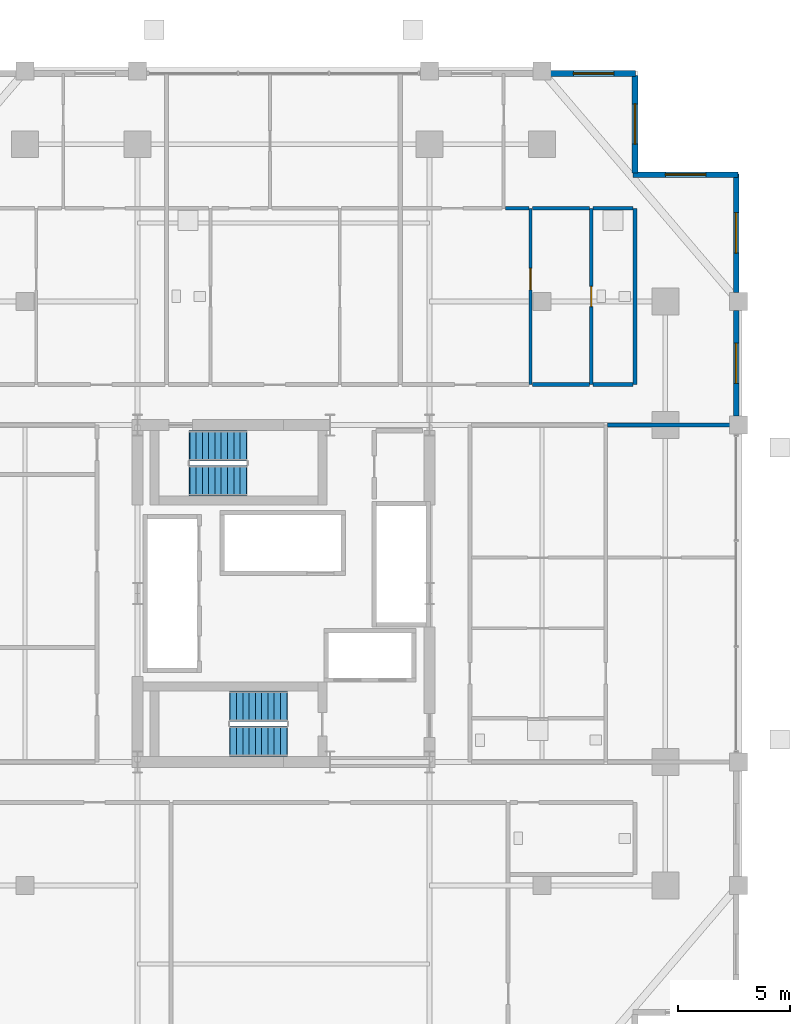
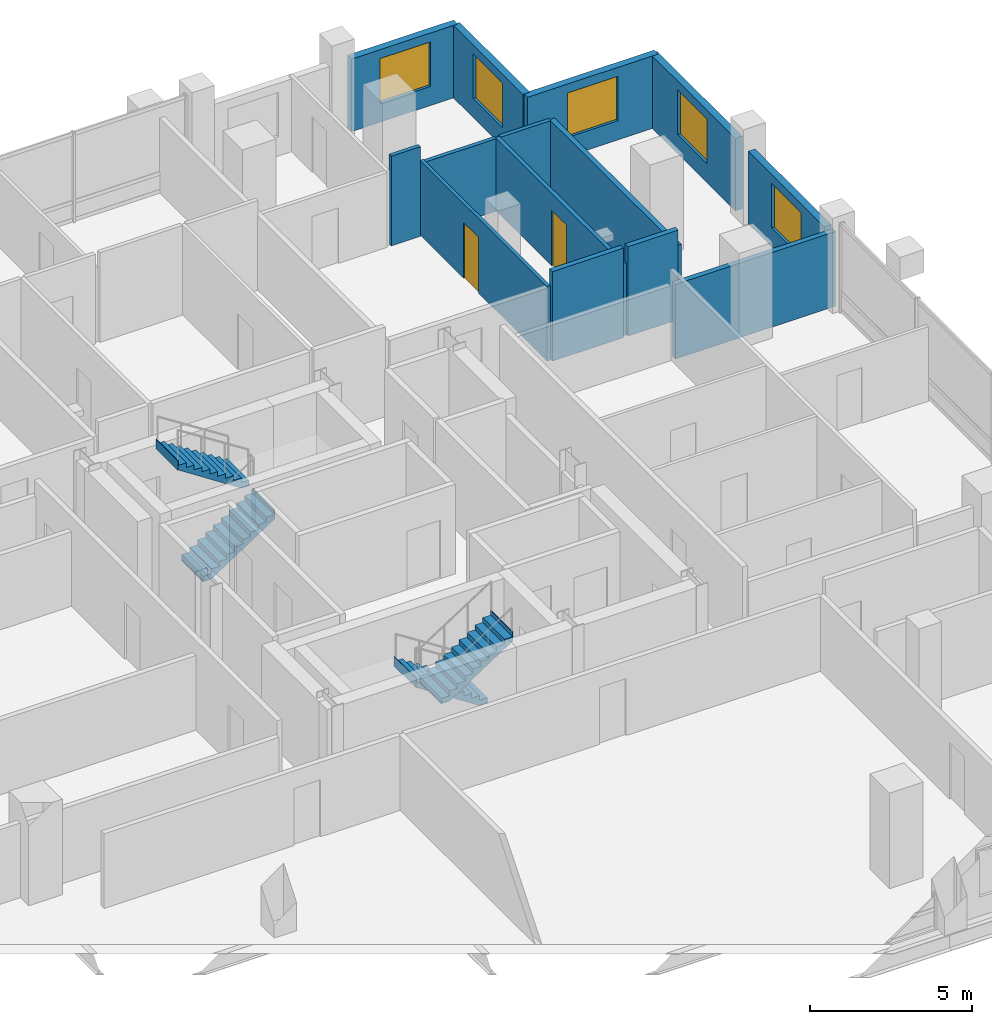
# One storey, part 17 of 19: 14 walls, 5 windows, 4 stair flights, 2 doors, 7 openings, 2 elements without a shape of their own.
"""IFC4 building model written with IfcOpenShell, lengths in metres."""

from ifc_helpers import new_model, si_unit, direction, frame, frame_2d, origin, place, context, subcontext, project, spatial, polyline, rectangle, outline, extrude, material, layer, layer_set, type_object, element, fill, aggregate, save


model = new_model("IFC4")

# Units and contexts
model_context = context("Model", 3, precision=1e-05, world=origin(), true_north=direction((0.0, 1.0)))
body_context = subcontext(model_context, "Body", "Model", "MODEL_VIEW")
ifc_project = project(units=[si_unit("LENGTHUNIT", "METRE"), si_unit("AREAUNIT", "SQUARE_METRE"), si_unit("VOLUMEUNIT", "CUBIC_METRE"), si_unit("PLANEANGLEUNIT", "RADIAN"), si_unit("MASSUNIT", "GRAM", prefix="KILO")], contexts=[model_context])

# Site, building, storey
site_placement = place(None, origin())
site = spatial("IfcSite", under=ifc_project, at=site_placement, CompositionType="ELEMENT")
building_placement = place(site_placement, origin())
building = spatial("IfcBuilding", under=site, at=building_placement, Name="Barlavira Tower and Art Museum", CompositionType="ELEMENT")
storey_placement = place(building_placement, frame((0.0, 0.0, 113.39990234375)))
storey = spatial("IfcBuildingStorey", under=building, at=storey_placement, Name="L28", CompositionType="ELEMENT", Elevation=113.39990234375)

# Wall, opening, door
ifc_material_1 = material(Name="Gypsum acoustic stud partition", Category="gypsum")
ifc_layer_1 = layer(ifc_material_1, 0.1201171875, Name="Gypsum acoustic stud partition")
ifc_layer_set_1 = layer_set([ifc_layer_1], Name="Gypsum acoustic stud partition")
wall_type_1 = type_object("IfcWallType", Name="Apartment Internal Acoustic Partition 120", PredefinedType="PARTITIONING", material=ifc_layer_set_1)
wall_1_placement = place(storey_placement, frame((11.0, 9.300048828125, 0.0), z_axis=(0.0, 0.0, 1.0), x_axis=(0.0, 1.0, 0.0)))
wall_1 = element("IfcWall", 1, at=wall_1_placement, inside=storey, type_object=wall_type_1, Name="L28 Partition Wall 16", PredefinedType="PARTITIONING", context=body_context, shape_type="SweptSolid", body=[
    extrude(rectangle(XDim=7.849853515625, YDim=0.1201171875, at=frame_2d((3.9248046875, 0.0))), origin(), (0.0, 0.0, 1.0), 2.816162109375),
])
opening_1_placement = place(wall_1_placement, frame((4.218505859375, 0.0, 0.0)))
opening_1 = element("IfcOpeningElement", 2, at=opening_1_placement, cuts=wall_1, Name="Opening D-02", PredefinedType="OPENING", context=body_context, shape_type="SweptSolid", body=[
    extrude(rectangle(XDim=0.949951171875, YDim=2.10009765625, at=frame_2d((0.47509765625, 1.050048828125))), frame((0.0, 0.070068359375, 0.0), z_axis=(0.0, -1.0, 0.0), x_axis=(1.0, 0.0, 0.0)), (0.0, 0.0, 1.0), 0.14013671875),
])
ifc_material_2 = material(Name="Engineered coastal hardwood", Category="wood")
door_type_1 = type_object("IfcDoorType", Name="Living and Salon Glazed-Leaf Door 950x2100", OperationType="NOTDEFINED", PredefinedType="DOOR", material=ifc_material_2)
door_1_placement = place(opening_1_placement, origin())
door_1 = element("IfcDoor", 3, at=door_1_placement, inside=storey, type_object=door_type_1, Name="Apartment N3 Kitchen Door", OperationType="SINGLE_SWING_LEFT", OverallHeight=2.10009765625, OverallWidth=0.949951171875, PredefinedType="DOOR", context=body_context, shape_type="SweptSolid", body=[
    extrude(rectangle(XDim=0.949951171875, YDim=2.10009765625, at=frame_2d((0.47509765625, 1.050048828125))), frame((0.0, 0.02490234375, 0.0), z_axis=(0.0, -1.0, 0.0), x_axis=(1.0, 0.0, 0.0)), (0.0, 0.0, 1.0), 0.050048828125),
])
fill(opening_1, door_1)

# Walls
ifc_layer_2 = layer(ifc_material_1, 0.179931640625, Name="Gypsum acoustic stud partition")
ifc_layer_set_2 = layer_set([ifc_layer_2], Name="Gypsum acoustic stud partition")
wall_type_2 = type_object("IfcWallType", Name="Inter-Tenancy Party Partition Wall 180", PredefinedType="PARTITIONING", material=ifc_layer_set_2)
wall_2_placement = place(storey_placement, frame((15.64990234375, 9.300048828125, 0.0), z_axis=(0.0, 0.0, 1.0), x_axis=(0.0, 1.0, 0.0)))
element("IfcWall", 4, at=wall_2_placement, inside=storey, type_object=wall_type_2, Name="L28 Partition Wall 20", PredefinedType="PARTITIONING", context=body_context, shape_type="SweptSolid", body=[
    extrude(rectangle(XDim=7.849853515625, YDim=0.179931640625, at=frame_2d((3.9248046875, 0.0))), origin(), (0.0, 0.0, 1.0), 2.736083984375),
])
wall_3_placement = place(storey_placement, frame((14.429931640625, 7.5, 0.0), z_axis=(0.0, 0.0, 1.0), x_axis=(1.0, 0.0, 0.0)))
element("IfcWall", 5, at=wall_3_placement, inside=storey, type_object=wall_type_2, Name="L28 Partition Wall 37", PredefinedType="PARTITIONING", context=body_context, shape_type="SweptSolid", body=[
    extrude(rectangle(XDim=5.719970703125, YDim=0.179931640625, at=frame_2d((2.85986328125, 0.0))), origin(), (0.0, 0.0, 1.0), 2.816162109375),
])
wall_4_placement = place(storey_placement, frame((11.080078125, 9.300048828125, 0.0), z_axis=(0.0, 0.0, 1.0), x_axis=(1.0, 0.0, 0.0)))
element("IfcWall", 6, at=wall_4_placement, inside=storey, type_object=wall_type_2, Name="L28 Partition Wall 45", PredefinedType="PARTITIONING", context=body_context, shape_type="SweptSolid", body=[
    extrude(rectangle(XDim=2.5400390625, YDim=0.179931640625, at=frame_2d((1.27001953125, 0.0))), origin(), (0.0, 0.0, 1.0), 3.380126953125),
])
wall_5_placement = place(storey_placement, frame((13.780029296875, 9.300048828125, 0.0), z_axis=(0.0, 0.0, 1.0), x_axis=(1.0, 0.0, 0.0)))
element("IfcWall", 7, at=wall_5_placement, inside=storey, type_object=wall_type_2, Name="L28 Partition Wall 46", PredefinedType="PARTITIONING", context=body_context, shape_type="SweptSolid", body=[
    extrude(rectangle(XDim=1.7900390625, YDim=0.179931640625, at=frame_2d((0.89501953125, 0.0))), origin(), (0.0, 0.0, 1.0), 3.380126953125),
])

# Wall, opening, door
ifc_layer_3 = layer(ifc_material_1, 0.139892578125, Name="Gypsum acoustic stud partition")
ifc_layer_set_3 = layer_set([ifc_layer_3], Name="Gypsum acoustic stud partition")
wall_type_3 = type_object("IfcWallType", Name="Moisture-Resistant Bathroom Partition 140", PredefinedType="PARTITIONING", material=ifc_layer_set_3)
wall_6_placement = place(storey_placement, frame((13.699951171875, 9.300048828125, 0.0), z_axis=(0.0, 0.0, 1.0), x_axis=(0.0, 1.0, 0.0)))
wall_6 = element("IfcWall", 8, at=wall_6_placement, inside=storey, type_object=wall_type_3, Name="L28 Partition Wall 17", PredefinedType="PARTITIONING", context=body_context, shape_type="SweptSolid", body=[
    extrude(rectangle(XDim=7.849853515625, YDim=0.139892578125, at=frame_2d((3.9248046875, 0.0))), origin(), (0.0, 0.0, 1.0), 2.736083984375),
])
opening_2_placement = place(wall_6_placement, frame((3.469970703125, 0.0, 0.0)))
opening_2 = element("IfcOpeningElement", 9, at=opening_2_placement, cuts=wall_6, Name="Opening D-WC", PredefinedType="OPENING", context=body_context, shape_type="SweptSolid", body=[
    extrude(rectangle(XDim=0.89990234375, YDim=2.10009765625, at=frame_2d((0.449951171875, 1.050048828125))), frame((0.0, 0.080078125, 0.0), z_axis=(0.0, -1.0, 0.0), x_axis=(1.0, 0.0, 0.0)), (0.0, 0.0, 1.0), 0.159912109375),
])
door_type_2 = type_object("IfcDoorType", Name="Accessible Bathroom Flush Door 900x2100", OperationType="NOTDEFINED", PredefinedType="DOOR", material=ifc_material_2)
door_2_placement = place(opening_2_placement, origin())
door_2 = element("IfcDoor", 10, at=door_2_placement, inside=storey, type_object=door_type_2, Name="Apartment N3 Hall Bathroom Door", OperationType="SINGLE_SWING_RIGHT", OverallHeight=2.10009765625, OverallWidth=0.89990234375, PredefinedType="DOOR", context=body_context, shape_type="SweptSolid", body=[
    extrude(rectangle(XDim=0.89990234375, YDim=2.10009765625, at=frame_2d((0.449951171875, 1.050048828125))), frame((0.0, 0.02490234375, 0.0), z_axis=(0.0, -1.0, 0.0), x_axis=(1.0, 0.0, 0.0)), (0.0, 0.0, 1.0), 0.050048828125),
])
fill(opening_2, door_2)

# Walls
wall_7_placement = place(storey_placement, frame((9.8798828125, 17.14990234375, 0.0), z_axis=(0.0, 0.0, 1.0), x_axis=(1.0, 0.0, 0.0)))
element("IfcWall", 11, at=wall_7_placement, inside=storey, type_object=wall_type_3, Name="L28 Partition Wall 56", PredefinedType="PARTITIONING", context=body_context, shape_type="SweptSolid", body=[
    extrude(rectangle(XDim=1.0400390625, YDim=0.139892578125, at=frame_2d((0.52001953125, 0.0))), origin(), (0.0, 0.0, 1.0), 3.380126953125),
])
wall_8_placement = place(storey_placement, frame((11.080078125, 17.14990234375, 0.0), z_axis=(0.0, 0.0, 1.0), x_axis=(1.0, 0.0, 0.0)))
element("IfcWall", 12, at=wall_8_placement, inside=storey, type_object=wall_type_3, Name="L28 Partition Wall 57", PredefinedType="PARTITIONING", context=body_context, shape_type="SweptSolid", body=[
    extrude(rectangle(XDim=2.5400390625, YDim=0.139892578125, at=frame_2d((1.27001953125, 0.0))), origin(), (0.0, 0.0, 1.0), 2.736083984375),
])
wall_9_placement = place(storey_placement, frame((13.780029296875, 17.14990234375, 0.0), z_axis=(0.0, 0.0, 1.0), x_axis=(1.0, 0.0, 0.0)))
element("IfcWall", 13, at=wall_9_placement, inside=storey, type_object=wall_type_3, Name="L28 Partition Wall 58", PredefinedType="PARTITIONING", context=body_context, shape_type="SweptSolid", body=[
    extrude(rectangle(XDim=1.7900390625, YDim=0.139892578125, at=frame_2d((0.89501953125, 0.0))), origin(), (0.0, 0.0, 1.0), 2.736083984375),
])

# Wall, opening, window
ifc_material_3 = material(Name="Precast concrete C40", Category="concrete")
ifc_layer_4 = layer(ifc_material_3, 0.25, Name="Precast concrete C40")
ifc_layer_set_4 = layer_set([ifc_layer_4], Name="Precast concrete C40")
wall_type_4 = type_object("IfcWallType", Name="Notched Corner Spandrel Wall 250 Precast Concrete C40", PredefinedType="SOLIDWALL", material=ifc_layer_set_4)
wall_10_placement = place(storey_placement, frame((15.675048828125, 23.14990234375, 0.0), z_axis=(0.0, 0.0, 1.0), x_axis=(-1.0, 0.0, 0.0)))
wall_10 = element("IfcWall", 14, at=wall_10_placement, inside=storey, type_object=wall_type_4, Name="L28 Coastal Facade Pier Wall CW2-L28-N-1", PredefinedType="SOLIDWALL", context=body_context, shape_type="SweptSolid", body=[
    extrude(rectangle(XDim=3.780029296875, YDim=0.25, at=frame_2d((1.89013671875, 0.0))), origin(), (0.0, 0.0, 1.0), 2.736083984375),
])
opening_3_placement = place(wall_10_placement, frame((0.968017578125, 0.0, 0.719970703125)))
opening_3 = element("IfcOpeningElement", 15, at=opening_3_placement, cuts=wall_10, Name="Opening WN-01", PredefinedType="OPENING", context=body_context, shape_type="SweptSolid", body=[
    extrude(rectangle(XDim=1.800048828125, YDim=1.679931640625, at=frame_2d((0.89990234375, 0.83984375))), frame((0.0, 0.135009765625, 0.0), z_axis=(0.0, -1.0, 0.0), x_axis=(1.0, 0.0, 0.0)), (0.0, 0.0, 1.0), 0.27001953125),
])
ifc_material_4 = material(Name="Low-iron coastal laminated glass", Category="glass")
window_type = type_object("IfcWindowType", Name="Recessed Notch Corner Punch Window 1800x1680", PartitioningType="SINGLE_PANEL", PredefinedType="WINDOW", material=ifc_material_4)
window_1_placement = place(opening_3_placement, origin())
window_1 = element("IfcWindow", 16, at=window_1_placement, inside=storey, type_object=window_type, Name="L28 Punched Facade Window EWP-CW2-L28-N-1-1", OverallHeight=1.679931640625, OverallWidth=1.800048828125, PartitioningType="SINGLE_PANEL", PredefinedType="WINDOW", context=body_context, shape_type="SweptSolid", body=[
    extrude(rectangle(XDim=1.800048828125, YDim=1.679931640625, at=frame_2d((0.89990234375, 0.83984375))), frame((0.0, 0.030029296875, 0.0), z_axis=(0.0, -1.0, 0.0), x_axis=(1.0, 0.0, 0.0)), (0.0, 0.0, 1.0), 0.06005859375),
])
fill(opening_3, window_1)

wall_11_placement = place(storey_placement, frame((20.14990234375, 7.89501953125, 0.0), z_axis=(0.0, 0.0, 1.0), x_axis=(0.0, 1.0, 0.0)))
wall_11 = element("IfcWall", 17, at=wall_11_placement, inside=storey, type_object=wall_type_4, Name="L28 Coastal Facade Pier Wall CW2-L28-E-4", PredefinedType="SOLIDWALL", context=body_context, shape_type="SweptSolid", body=[
    extrude(rectangle(XDim=4.7099609375, YDim=0.25, at=frame_2d((2.35498046875, 0.0))), origin(), (0.0, 0.0, 1.0), 2.736083984375),
])
opening_4_placement = place(wall_11_placement, frame((1.455078125, 0.0, 0.719970703125)))
opening_4 = element("IfcOpeningElement", 18, at=opening_4_placement, cuts=wall_11, Name="Opening WN-01", PredefinedType="OPENING", context=body_context, shape_type="SweptSolid", body=[
    extrude(rectangle(XDim=1.800048828125, YDim=1.679931640625, at=frame_2d((0.89990234375, 0.83984375))), frame((0.0, 0.135009765625, 0.0), z_axis=(0.0, -1.0, 0.0), x_axis=(1.0, 0.0, 0.0)), (0.0, 0.0, 1.0), 0.27001953125),
])
window_2_placement = place(opening_4_placement, origin())
window_2 = element("IfcWindow", 19, at=window_2_placement, inside=storey, type_object=window_type, Name="L28 Punched Facade Window EWP-CW2-L28-E-4-1", OverallHeight=1.679931640625, OverallWidth=1.800048828125, PartitioningType="SINGLE_PANEL", PredefinedType="WINDOW", context=body_context, shape_type="SweptSolid", body=[
    extrude(rectangle(XDim=1.800048828125, YDim=1.679931640625, at=frame_2d((0.89990234375, 0.83984375))), frame((0.0, 0.030029296875, 0.0), z_axis=(0.0, -1.0, 0.0), x_axis=(1.0, 0.0, 0.0)), (0.0, 0.0, 1.0), 0.06005859375),
])
fill(opening_4, window_2)

wall_12_placement = place(storey_placement, frame((20.14990234375, 13.39501953125, 0.0), z_axis=(0.0, 0.0, 1.0), x_axis=(0.0, 1.0, 0.0)))
wall_12 = element("IfcWall", 20, at=wall_12_placement, inside=storey, type_object=wall_type_4, Name="L28 Coastal Facade Pier Wall CW2-L28-E-5", PredefinedType="SOLIDWALL", context=body_context, shape_type="SweptSolid", body=[
    extrude(rectangle(XDim=5.280029296875, YDim=0.25, at=frame_2d((2.64013671875, 0.0))), origin(), (0.0, 0.0, 1.0), 2.736083984375),
])
opening_5_placement = place(wall_12_placement, frame((1.762939453125, 0.0, 0.719970703125)))
opening_5 = element("IfcOpeningElement", 21, at=opening_5_placement, cuts=wall_12, Name="Opening WN-01", PredefinedType="OPENING", context=body_context, shape_type="SweptSolid", body=[
    extrude(rectangle(XDim=1.800048828125, YDim=1.679931640625, at=frame_2d((0.89990234375, 0.83984375))), frame((0.0, 0.135009765625, 0.0), z_axis=(0.0, -1.0, 0.0), x_axis=(1.0, 0.0, 0.0)), (0.0, 0.0, 1.0), 0.27001953125),
])
window_3_placement = place(opening_5_placement, origin())
window_3 = element("IfcWindow", 22, at=window_3_placement, inside=storey, type_object=window_type, Name="L28 Punched Facade Window EWP-CW2-L28-E-5-1", OverallHeight=1.679931640625, OverallWidth=1.800048828125, PartitioningType="SINGLE_PANEL", PredefinedType="WINDOW", context=body_context, shape_type="SweptSolid", body=[
    extrude(rectangle(XDim=1.800048828125, YDim=1.679931640625, at=frame_2d((0.89990234375, 0.83984375))), frame((0.0, 0.030029296875, 0.0), z_axis=(0.0, -1.0, 0.0), x_axis=(1.0, 0.0, 0.0)), (0.0, 0.0, 1.0), 0.06005859375),
])
fill(opening_5, window_3)

wall_13_placement = place(storey_placement, frame((20.22998046875, 18.64990234375, 0.0), z_axis=(0.0, 0.0, 1.0), x_axis=(-1.0, 0.0, 0.0)))
wall_13 = element("IfcWall", 23, at=wall_13_placement, inside=storey, type_object=wall_type_4, Name="L28 Notch Corner Wall NE1", PredefinedType="SOLIDWALL", context=body_context, shape_type="SweptSolid", body=[
    extrude(rectangle(XDim=4.659912109375, YDim=0.25, at=frame_2d((2.330078125, 0.0))), origin(), (0.0, 0.0, 1.0), 2.736083984375),
])
opening_6_placement = place(wall_13_placement, frame((1.429931640625, 0.0, 0.719970703125)))
opening_6 = element("IfcOpeningElement", 24, at=opening_6_placement, cuts=wall_13, Name="Opening WN-01", PredefinedType="OPENING", context=body_context, shape_type="SweptSolid", body=[
    extrude(rectangle(XDim=1.800048828125, YDim=1.679931640625, at=frame_2d((0.89990234375, 0.83984375))), frame((0.0, 0.135009765625, 0.0), z_axis=(0.0, -1.0, 0.0), x_axis=(1.0, 0.0, 0.0)), (0.0, 0.0, 1.0), 0.27001953125),
])
window_4_placement = place(opening_6_placement, origin())
window_4 = element("IfcWindow", 25, at=window_4_placement, inside=storey, type_object=window_type, Name="L28 Punched Facade Window EW-NTC-L28-NE1-1", OverallHeight=1.679931640625, OverallWidth=1.800048828125, PartitioningType="SINGLE_PANEL", PredefinedType="WINDOW", context=body_context, shape_type="SweptSolid", body=[
    extrude(rectangle(XDim=1.800048828125, YDim=1.679931640625, at=frame_2d((0.89990234375, 0.83984375))), frame((0.0, 0.030029296875, 0.0), z_axis=(0.0, -1.0, 0.0), x_axis=(1.0, 0.0, 0.0)), (0.0, 0.0, 1.0), 0.06005859375),
])
fill(opening_6, window_4)

wall_14_placement = place(storey_placement, frame((15.64990234375, 18.72998046875, 0.0), z_axis=(0.0, 0.0, 1.0), x_axis=(0.0, 1.0, 0.0)))
wall_14 = element("IfcWall", 26, at=wall_14_placement, inside=storey, type_object=wall_type_4, Name="L28 Notch Corner Wall NE2", PredefinedType="SOLIDWALL", context=body_context, shape_type="SweptSolid", body=[
    extrude(rectangle(XDim=4.340087890625, YDim=0.25, at=frame_2d((2.169921875, 0.0))), origin(), (0.0, 0.0, 1.0), 2.736083984375),
])
opening_7_placement = place(wall_14_placement, frame((1.27001953125, 0.0, 0.719970703125)))
opening_7 = element("IfcOpeningElement", 27, at=opening_7_placement, cuts=wall_14, Name="Opening WN-01", PredefinedType="OPENING", context=body_context, shape_type="SweptSolid", body=[
    extrude(rectangle(XDim=1.800048828125, YDim=1.679931640625, at=frame_2d((0.89990234375, 0.83984375))), frame((0.0, 0.135009765625, 0.0), z_axis=(0.0, -1.0, 0.0), x_axis=(1.0, 0.0, 0.0)), (0.0, 0.0, 1.0), 0.27001953125),
])
window_5_placement = place(opening_7_placement, origin())
window_5 = element("IfcWindow", 28, at=window_5_placement, inside=storey, type_object=window_type, Name="L28 Punched Facade Window EW-NTC-L28-NE2-1", OverallHeight=1.679931640625, OverallWidth=1.800048828125, PartitioningType="SINGLE_PANEL", PredefinedType="WINDOW", context=body_context, shape_type="SweptSolid", body=[
    extrude(rectangle(XDim=1.800048828125, YDim=1.679931640625, at=frame_2d((0.89990234375, 0.83984375))), frame((0.0, 0.030029296875, 0.0), z_axis=(0.0, -1.0, 0.0), x_axis=(1.0, 0.0, 0.0)), (0.0, 0.0, 1.0), 0.06005859375),
])
fill(opening_7, window_5)

# Stair, stair flights
ifc_material_5 = material(Name="Concrete C45", Category="concrete")
stair_type_1 = type_object("IfcStairType", Name="Tower North Dog-Leg Exit Stair Assembly Concrete C45", PredefinedType="TWO_QUARTER_TURN_STAIR", material=ifc_material_5)
stair_1_placement = place(storey_placement, origin())
stair_1 = element("IfcStair", 29, at=stair_1_placement, inside=storey, type_object=stair_type_1, Name="L28 Tower North Exit Stair ST-T2", PredefinedType="TWO_QUARTER_TURN_STAIR")
ifc_material_6 = material(Name="Precast concrete C45", Category="concrete")
stair_flight_type_1 = type_object("IfcStairFlightType", Name="Tower North Dog-Leg Exit Stair Precast Flight 1350 Concrete C45", PredefinedType="STRAIGHT", material=ifc_material_6)
stair_flight_1_placement = place(storey_placement, frame((-4.169921875, 5.02490234375, 0.0), z_axis=(0.0, 0.0, 1.0), x_axis=(1.0, 0.0, 0.0)))
stair_flight_1 = element("IfcStairFlight", 30, at=stair_flight_1_placement, type_object=stair_flight_type_1, Name="ST-T2 flight 1", NumberOfRisers=10, NumberOfTreads=9, PredefinedType="STRAIGHT", RiserHeight=0.18, TreadLength=0.28, context=body_context, shape_type="SweptSolid", body=[
    extrude(outline(polyline([(-0.02490234375, 0.0), (0.0, 0.0), (0.0, 0.179931640625), (0.280029296875, 0.179931640625), (0.280029296875, 0.360107421875), (0.56005859375, 0.360107421875), (0.56005859375, 0.5400390625), (0.840087890625, 0.5400390625), (0.840087890625, 0.719970703125), (1.1201171875, 0.719970703125), (1.1201171875, 0.89990234375), (1.39990234375, 0.89990234375), (1.39990234375, 1.080078125), (1.679931640625, 1.080078125), (1.679931640625, 1.260009765625), (1.9599609375, 1.260009765625), (1.9599609375, 1.43994140625), (2.239990234375, 1.43994140625), (2.239990234375, 1.6201171875), (2.52001953125, 1.6201171875), (2.52001953125, 1.800048828125), (2.544921875, 1.800048828125), (2.544921875, 1.44189453125), (2.52001953125, 1.44189453125), (0.277099609375, -0.02490234375), (-0.02490234375, -0.02490234375), (-0.02490234375, 0.0)])), frame((0.0, 0.675048828125, 0.0), z_axis=(0.0, -1.0, 0.0), x_axis=(1.0, 0.0, 0.0)), (0.0, 0.0, 1.0), 1.35009765625),
])
stair_flight_2_placement = place(storey_placement, frame((-1.64990234375, 6.574951171875, 1.800048828125), z_axis=(0.0, 0.0, 1.0), x_axis=(-1.0, 0.0, 0.0)))
stair_flight_2 = element("IfcStairFlight", 31, at=stair_flight_2_placement, type_object=stair_flight_type_1, Name="ST-T2 flight 2", NumberOfRisers=10, NumberOfTreads=9, PredefinedType="STRAIGHT", RiserHeight=0.18, TreadLength=0.28, context=body_context, shape_type="SweptSolid", body=[
    extrude(outline(polyline([(-0.02490234375, 0.0), (0.0, 0.0), (0.0, 0.179931640625), (0.280029296875, 0.179931640625), (0.280029296875, 0.360107421875), (0.56005859375, 0.360107421875), (0.56005859375, 0.5400390625), (0.840087890625, 0.5400390625), (0.840087890625, 0.719970703125), (1.1201171875, 0.719970703125), (1.1201171875, 0.89990234375), (1.39990234375, 0.89990234375), (1.39990234375, 1.080078125), (1.679931640625, 1.080078125), (1.679931640625, 1.260009765625), (1.9599609375, 1.260009765625), (1.9599609375, 1.43994140625), (2.239990234375, 1.43994140625), (2.239990234375, 1.6201171875), (2.52001953125, 1.6201171875), (2.52001953125, 1.800048828125), (2.544921875, 1.800048828125), (2.544921875, 1.44189453125), (2.52001953125, 1.44189453125), (0.277099609375, -0.02490234375), (-0.02490234375, -0.02490234375), (-0.02490234375, 0.0)])), frame((0.0, 0.675048828125, 0.0), z_axis=(0.0, -1.0, 0.0), x_axis=(1.0, 0.0, 0.0)), (0.0, 0.0, 1.0), 1.35009765625),
])
aggregate(stair_1, [stair_flight_1, stair_flight_2])

stair_type_2 = type_object("IfcStairType", Name="Tower South Dog-Leg Exit Stair Assembly Concrete C45", PredefinedType="TWO_QUARTER_TURN_STAIR", material=ifc_material_5)
stair_2_placement = place(storey_placement, origin())
stair_2 = element("IfcStair", 32, at=stair_2_placement, inside=storey, type_object=stair_type_2, Name="L28 Tower South Exit Stair ST-T1", PredefinedType="TWO_QUARTER_TURN_STAIR")
stair_flight_type_2 = type_object("IfcStairFlightType", Name="Tower South Dog-Leg Exit Stair Precast Flight 1350 Concrete C45", PredefinedType="STRAIGHT", material=ifc_material_6)
stair_flight_3_placement = place(storey_placement, frame((0.14990234375, -5.02490234375, 0.0), z_axis=(0.0, 0.0, 1.0), x_axis=(-1.0, 0.0, 0.0)))
stair_flight_3 = element("IfcStairFlight", 33, at=stair_flight_3_placement, type_object=stair_flight_type_2, Name="ST-T1 flight 1", NumberOfRisers=10, NumberOfTreads=9, PredefinedType="STRAIGHT", RiserHeight=0.18, TreadLength=0.28, context=body_context, shape_type="SweptSolid", body=[
    extrude(outline(polyline([(-0.02490234375, 0.0), (0.0, 0.0), (0.0, 0.179931640625), (0.280029296875, 0.179931640625), (0.280029296875, 0.360107421875), (0.56005859375, 0.360107421875), (0.56005859375, 0.5400390625), (0.840087890625, 0.5400390625), (0.840087890625, 0.719970703125), (1.1201171875, 0.719970703125), (1.1201171875, 0.89990234375), (1.39990234375, 0.89990234375), (1.39990234375, 1.080078125), (1.679931640625, 1.080078125), (1.679931640625, 1.260009765625), (1.9599609375, 1.260009765625), (1.9599609375, 1.43994140625), (2.239990234375, 1.43994140625), (2.239990234375, 1.6201171875), (2.52001953125, 1.6201171875), (2.52001953125, 1.800048828125), (2.544921875, 1.800048828125), (2.544921875, 1.44189453125), (2.52001953125, 1.44189453125), (0.277099609375, -0.02490234375), (-0.02490234375, -0.02490234375), (-0.02490234375, 0.0)])), frame((0.0, 0.675048828125, 0.0), z_axis=(0.0, -1.0, 0.0), x_axis=(1.0, 0.0, 0.0)), (0.0, 0.0, 1.0), 1.35009765625),
])
stair_flight_4_placement = place(storey_placement, frame((-2.3701171875, -6.574951171875, 1.800048828125), z_axis=(0.0, 0.0, 1.0), x_axis=(1.0, 0.0, 0.0)))
stair_flight_4 = element("IfcStairFlight", 34, at=stair_flight_4_placement, type_object=stair_flight_type_2, Name="ST-T1 flight 2", NumberOfRisers=10, NumberOfTreads=9, PredefinedType="STRAIGHT", RiserHeight=0.18, TreadLength=0.28, context=body_context, shape_type="SweptSolid", body=[
    extrude(outline(polyline([(-0.02490234375, 0.0), (0.0, 0.0), (0.0, 0.179931640625), (0.280029296875, 0.179931640625), (0.280029296875, 0.360107421875), (0.56005859375, 0.360107421875), (0.56005859375, 0.5400390625), (0.840087890625, 0.5400390625), (0.840087890625, 0.719970703125), (1.1201171875, 0.719970703125), (1.1201171875, 0.89990234375), (1.39990234375, 0.89990234375), (1.39990234375, 1.080078125), (1.679931640625, 1.080078125), (1.679931640625, 1.260009765625), (1.9599609375, 1.260009765625), (1.9599609375, 1.43994140625), (2.239990234375, 1.43994140625), (2.239990234375, 1.6201171875), (2.52001953125, 1.6201171875), (2.52001953125, 1.800048828125), (2.544921875, 1.800048828125), (2.544921875, 1.44189453125), (2.52001953125, 1.44189453125), (0.277099609375, -0.02490234375), (-0.02490234375, -0.02490234375), (-0.02490234375, 0.0)])), frame((0.0, 0.675048828125, 0.0), z_axis=(0.0, -1.0, 0.0), x_axis=(1.0, 0.0, 0.0)), (0.0, 0.0, 1.0), 1.35009765625),
])
aggregate(stair_2, [stair_flight_3, stair_flight_4])

save(model, "model.ifc")
